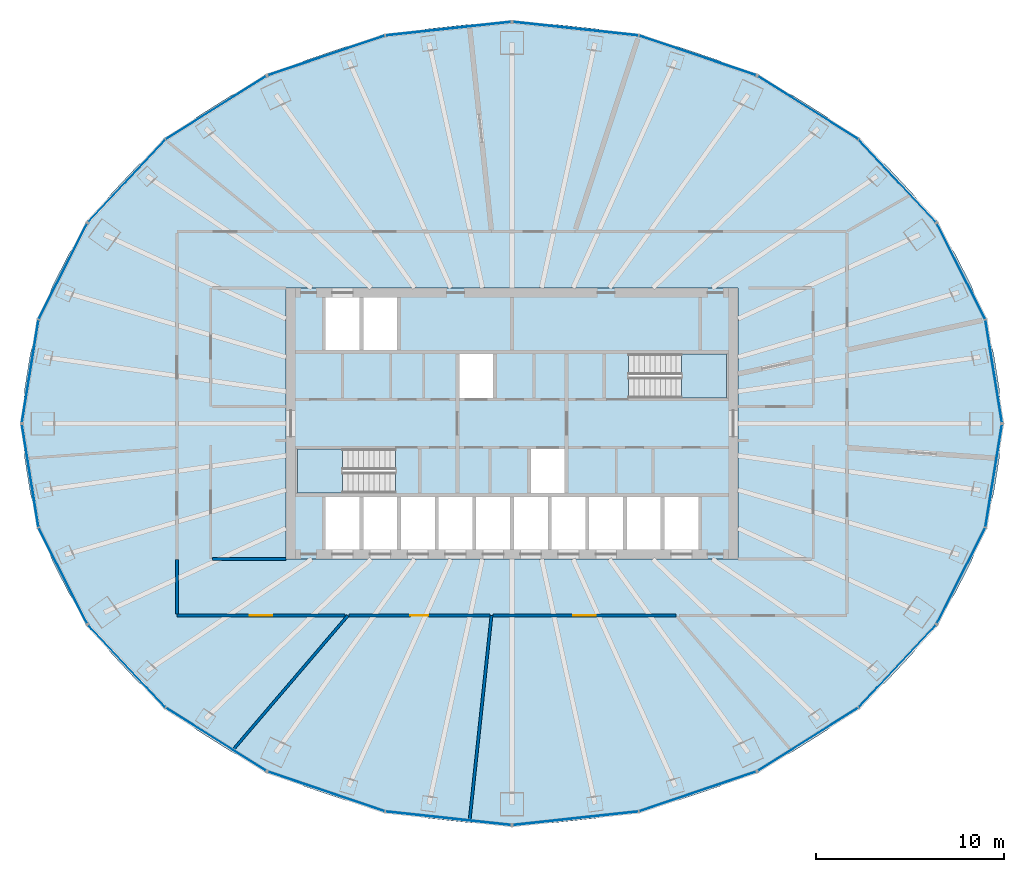
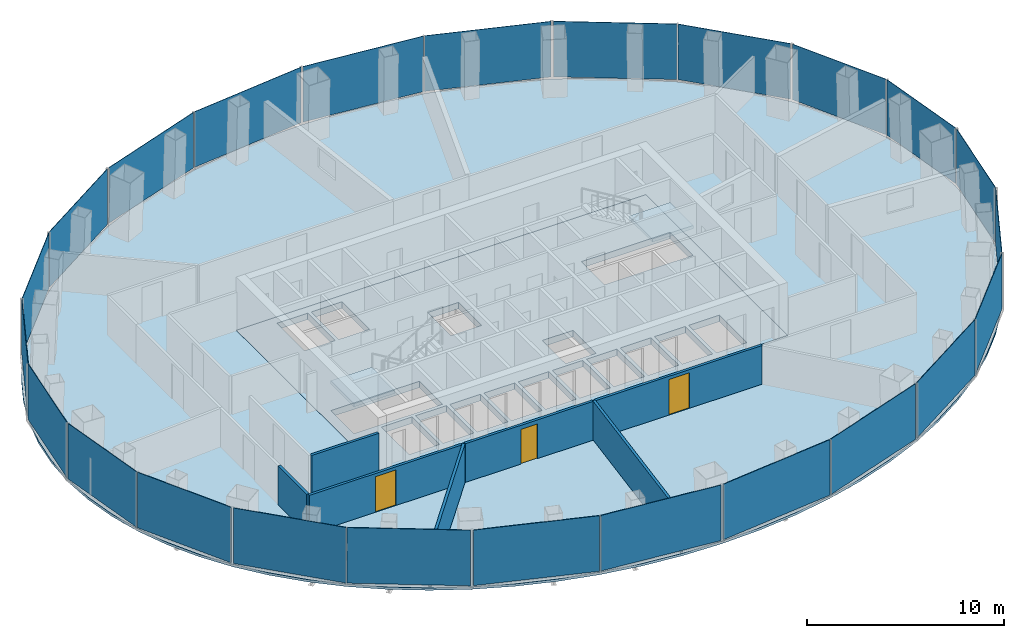
# One storey, part 7 of 12: 24 plates, 7 walls, 4 slabs, 3 doors, 3 openings, 14 elements without a shape of their own.
"""IFC4 building model written with IfcOpenShell, lengths in metres."""

from ifc_helpers import new_model, si_unit, direction, frame, frame_2d, origin, origin_2d, place, context, subcontext, project, spatial, polyline, rectangle, outline, extrude, material, layer, layer_set, type_object, element, fill, aggregate, save


model = new_model("IFC4")

# Units and contexts
model_context = context("Model", 3, precision=1e-05, world=origin(), true_north=direction((0.0, 1.0)))
body_context = subcontext(model_context, "Body", "Model", "MODEL_VIEW")
ifc_project = project(units=[si_unit("LENGTHUNIT", "METRE"), si_unit("AREAUNIT", "SQUARE_METRE"), si_unit("VOLUMEUNIT", "CUBIC_METRE"), si_unit("PLANEANGLEUNIT", "RADIAN"), si_unit("MASSUNIT", "GRAM", prefix="KILO")], contexts=[model_context])

# Site, building, storey
site_placement = place(None, origin())
site = spatial("IfcSite", under=ifc_project, at=site_placement, CompositionType="ELEMENT")
building_placement = place(site_placement, origin())
building = spatial("IfcBuilding", under=site, at=building_placement, Name="Siaravel Broadcast Tower", CompositionType="ELEMENT")
storey_placement = place(building_placement, frame((0.0, 0.0, 100.800048828125)))
storey = spatial("IfcBuildingStorey", under=building, at=storey_placement, Name="L23", CompositionType="ELEMENT", Elevation=100.800048828125)

# Curtain wall, plates
ifc_material_1 = material(Name="Aluminium 6063-T6", Category="aluminium")
ifc_layer_1 = layer(ifc_material_1, 0.199951171875)
ifc_layer_set_1 = layer_set([ifc_layer_1], Name="Aluminium 6063-T6")
curtain_wall_type = type_object("IfcCurtainWallType", Name="Unitised curtain wall, zone 2", PredefinedType="NOTDEFINED", material=ifc_layer_set_1)
curtain_wall_1_placement = place(storey_placement, origin())
curtain_wall_1 = element("IfcCurtainWall", 1, at=curtain_wall_1_placement, inside=storey, type_object=curtain_wall_type, Name="L23 Unitised curtain wall, zone 2 01", PredefinedType="NOTDEFINED")
ifc_material_2 = material(Name="Tinted laminated glass", Category="glass")
ifc_layer_2 = layer(ifc_material_2, 0.030029296875)
ifc_layer_set_2 = layer_set([ifc_layer_2], Name="Tinted laminated glass")
plate_type = type_object("IfcPlateType", Name="CW-Z2 glass panel", PredefinedType="CURTAIN_PANEL", material=ifc_layer_set_2)
plate_1_placement = place(storey_placement, frame((25.593017578125, 2.77880859375, 0.10986328125), z_axis=(0.0, 0.0, 1.0), x_axis=(-0.15868576, 0.987329139, 0.0)))
plate_1 = element("IfcPlate", 2, at=plate_1_placement, type_object=plate_type, Name="CW-Z2 glass panel", PredefinedType="CURTAIN_PANEL", context=body_context, shape_type="SweptSolid", body=[
    extrude(rectangle(XDim=5.498779296875, YDim=0.030029296875, at=origin_2d()), origin(), (0.0, 0.0, 1.0), 3.43994140625),
])
plate_2_placement = place(storey_placement, frame((23.857421875, 8.084716796875, 0.10986328125), z_axis=(0.0, 0.0, 1.0), x_axis=(-0.451261384, 0.892391822, 0.0)))
plate_2 = element("IfcPlate", 3, at=plate_2_placement, type_object=plate_type, Name="CW-Z2 glass panel", PredefinedType="CURTAIN_PANEL", context=body_context, shape_type="SweptSolid", body=[
    extrude(rectangle(XDim=5.6708984375, YDim=0.030029296875, at=origin_2d()), origin(), (0.0, 0.0, 1.0), 3.43994140625),
])
aggregate(curtain_wall_1, [plate_1, plate_2])

curtain_wall_2_placement = place(storey_placement, origin())
curtain_wall_2 = element("IfcCurtainWall", 4, at=curtain_wall_2_placement, inside=storey, type_object=curtain_wall_type, Name="L23 Unitised curtain wall, zone 2 02", PredefinedType="NOTDEFINED")
plate_3_placement = place(storey_placement, frame((20.467529296875, 12.894287109375, 0.10986328125), z_axis=(0.0, 0.0, 1.0), x_axis=(-0.683655524, 0.729804854, 0.0)))
plate_3 = element("IfcPlate", 5, at=plate_3_placement, type_object=plate_type, Name="CW-Z2 glass panel", PredefinedType="CURTAIN_PANEL", context=body_context, shape_type="SweptSolid", body=[
    extrude(rectangle(XDim=5.957275390625, YDim=0.030029296875, at=origin_2d()), origin(), (0.0, 0.0, 1.0), 3.43994140625),
])
plate_4_placement = place(storey_placement, frame((15.726318359375, 16.77783203125, 0.10986328125), z_axis=(0.0, 0.0, 1.0), x_axis=(-0.846650783, 0.5321489, 0.0)))
plate_4 = element("IfcPlate", 6, at=plate_4_placement, type_object=plate_type, Name="CW-Z2 glass panel", PredefinedType="CURTAIN_PANEL", context=body_context, shape_type="SweptSolid", body=[
    extrude(rectangle(XDim=6.272216796875, YDim=0.030029296875, at=origin_2d()), origin(), (0.0, 0.0, 1.0), 3.43994140625),
])
aggregate(curtain_wall_2, [plate_3, plate_4])

curtain_wall_3_placement = place(storey_placement, origin())
curtain_wall_3 = element("IfcCurtainWall", 7, at=curtain_wall_3_placement, inside=storey, type_object=curtain_wall_type, Name="L23 Unitised curtain wall, zone 2 03", PredefinedType="NOTDEFINED")
plate_5_placement = place(storey_placement, frame((9.861328125, 19.5517578125, 0.10986328125), z_axis=(0.0, 0.0, 1.0), x_axis=(-0.946977313, 0.321300433, 0.0)))
plate_5 = element("IfcPlate", 8, at=plate_5_placement, type_object=plate_type, Name="CW-Z2 glass panel", PredefinedType="CURTAIN_PANEL", context=body_context, shape_type="SweptSolid", body=[
    extrude(rectangle(XDim=6.532958984375, YDim=0.030029296875, at=origin_2d()), origin(), (0.0, 0.0, 1.0), 3.43994140625),
])
plate_6_placement = place(storey_placement, frame((3.384765625, 20.973388671875, 0.10986328125), z_axis=(0.0, 0.0, 1.0), x_axis=(-0.994235597, 0.107217428, 0.0)))
plate_6 = element("IfcPlate", 9, at=plate_6_placement, type_object=plate_type, Name="CW-Z2 glass panel", PredefinedType="CURTAIN_PANEL", context=body_context, shape_type="SweptSolid", body=[
    extrude(rectangle(XDim=6.678955078125, YDim=0.030029296875, at=origin_2d()), origin(), (0.0, 0.0, 1.0), 3.43994140625),
])
aggregate(curtain_wall_3, [plate_5, plate_6])

curtain_wall_4_placement = place(storey_placement, origin())
curtain_wall_4 = element("IfcCurtainWall", 10, at=curtain_wall_4_placement, inside=storey, type_object=curtain_wall_type, Name="L23 Unitised curtain wall, zone 2 04", PredefinedType="NOTDEFINED")
plate_7_placement = place(storey_placement, frame((-3.384765625, 20.973388671875, 0.10986328125), z_axis=(0.0, 0.0, 1.0), x_axis=(-0.994235597, -0.107217428, 0.0)))
plate_7 = element("IfcPlate", 11, at=plate_7_placement, type_object=plate_type, Name="CW-Z2 glass panel", PredefinedType="CURTAIN_PANEL", context=body_context, shape_type="SweptSolid", body=[
    extrude(rectangle(XDim=6.678955078125, YDim=0.030029296875, at=origin_2d()), origin(), (0.0, 0.0, 1.0), 3.43994140625),
])
plate_8_placement = place(storey_placement, frame((-9.861328125, 19.5517578125, 0.10986328125), z_axis=(0.0, 0.0, 1.0), x_axis=(-0.946977313, -0.321300433, 0.0)))
plate_8 = element("IfcPlate", 12, at=plate_8_placement, type_object=plate_type, Name="CW-Z2 glass panel", PredefinedType="CURTAIN_PANEL", context=body_context, shape_type="SweptSolid", body=[
    extrude(rectangle(XDim=6.532958984375, YDim=0.030029296875, at=origin_2d()), origin(), (0.0, 0.0, 1.0), 3.43994140625),
])
aggregate(curtain_wall_4, [plate_7, plate_8])

curtain_wall_5_placement = place(storey_placement, origin())
curtain_wall_5 = element("IfcCurtainWall", 13, at=curtain_wall_5_placement, inside=storey, type_object=curtain_wall_type, Name="L23 Unitised curtain wall, zone 2 05", PredefinedType="NOTDEFINED")
plate_9_placement = place(storey_placement, frame((-15.726318359375, 16.77783203125, 0.10986328125), z_axis=(0.0, 0.0, 1.0), x_axis=(-0.846650783, -0.5321489, 0.0)))
plate_9 = element("IfcPlate", 14, at=plate_9_placement, type_object=plate_type, Name="CW-Z2 glass panel", PredefinedType="CURTAIN_PANEL", context=body_context, shape_type="SweptSolid", body=[
    extrude(rectangle(XDim=6.272216796875, YDim=0.030029296875, at=origin_2d()), origin(), (0.0, 0.0, 1.0), 3.43994140625),
])
plate_10_placement = place(storey_placement, frame((-20.467529296875, 12.894287109375, 0.10986328125), z_axis=(0.0, 0.0, 1.0), x_axis=(-0.683655524, -0.729804854, 0.0)))
plate_10 = element("IfcPlate", 15, at=plate_10_placement, type_object=plate_type, Name="CW-Z2 glass panel", PredefinedType="CURTAIN_PANEL", context=body_context, shape_type="SweptSolid", body=[
    extrude(rectangle(XDim=5.957275390625, YDim=0.030029296875, at=origin_2d()), origin(), (0.0, 0.0, 1.0), 3.43994140625),
])
aggregate(curtain_wall_5, [plate_9, plate_10])

curtain_wall_6_placement = place(storey_placement, origin())
curtain_wall_6 = element("IfcCurtainWall", 16, at=curtain_wall_6_placement, inside=storey, type_object=curtain_wall_type, Name="L23 Unitised curtain wall, zone 2 06", PredefinedType="NOTDEFINED")
plate_11_placement = place(storey_placement, frame((-23.857421875, 8.084716796875, 0.10986328125), z_axis=(0.0, 0.0, 1.0), x_axis=(-0.451261384, -0.892391822, 0.0)))
plate_11 = element("IfcPlate", 17, at=plate_11_placement, type_object=plate_type, Name="CW-Z2 glass panel", PredefinedType="CURTAIN_PANEL", context=body_context, shape_type="SweptSolid", body=[
    extrude(rectangle(XDim=5.6708984375, YDim=0.030029296875, at=origin_2d()), origin(), (0.0, 0.0, 1.0), 3.43994140625),
])
plate_12_placement = place(storey_placement, frame((-25.593017578125, 2.77880859375, 0.10986328125), z_axis=(0.0, 0.0, 1.0), x_axis=(-0.15868576, -0.987329139, 0.0)))
plate_12 = element("IfcPlate", 18, at=plate_12_placement, type_object=plate_type, Name="CW-Z2 glass panel", PredefinedType="CURTAIN_PANEL", context=body_context, shape_type="SweptSolid", body=[
    extrude(rectangle(XDim=5.498779296875, YDim=0.030029296875, at=origin_2d()), origin(), (0.0, 0.0, 1.0), 3.43994140625),
])
aggregate(curtain_wall_6, [plate_11, plate_12])

curtain_wall_7_placement = place(storey_placement, origin())
curtain_wall_7 = element("IfcCurtainWall", 19, at=curtain_wall_7_placement, inside=storey, type_object=curtain_wall_type, Name="L23 Unitised curtain wall, zone 2 07", PredefinedType="NOTDEFINED")
plate_13_placement = place(storey_placement, frame((-25.593017578125, -2.77880859375, 0.10986328125), z_axis=(0.0, 0.0, 1.0), x_axis=(0.15868576, -0.987329139, 0.0)))
plate_13 = element("IfcPlate", 20, at=plate_13_placement, type_object=plate_type, Name="CW-Z2 glass panel", PredefinedType="CURTAIN_PANEL", context=body_context, shape_type="SweptSolid", body=[
    extrude(rectangle(XDim=5.498779296875, YDim=0.030029296875, at=origin_2d()), origin(), (0.0, 0.0, 1.0), 3.43994140625),
])
plate_14_placement = place(storey_placement, frame((-23.857421875, -8.084716796875, 0.10986328125), z_axis=(0.0, 0.0, 1.0), x_axis=(0.451261384, -0.892391822, 0.0)))
plate_14 = element("IfcPlate", 21, at=plate_14_placement, type_object=plate_type, Name="CW-Z2 glass panel", PredefinedType="CURTAIN_PANEL", context=body_context, shape_type="SweptSolid", body=[
    extrude(rectangle(XDim=5.6708984375, YDim=0.030029296875, at=origin_2d()), origin(), (0.0, 0.0, 1.0), 3.43994140625),
])
aggregate(curtain_wall_7, [plate_13, plate_14])

curtain_wall_8_placement = place(storey_placement, origin())
curtain_wall_8 = element("IfcCurtainWall", 22, at=curtain_wall_8_placement, inside=storey, type_object=curtain_wall_type, Name="L23 Unitised curtain wall, zone 2 08", PredefinedType="NOTDEFINED")
plate_15_placement = place(storey_placement, frame((-20.467529296875, -12.894287109375, 0.10986328125), z_axis=(0.0, 0.0, 1.0), x_axis=(0.683655524, -0.729804854, 0.0)))
plate_15 = element("IfcPlate", 23, at=plate_15_placement, type_object=plate_type, Name="CW-Z2 glass panel", PredefinedType="CURTAIN_PANEL", context=body_context, shape_type="SweptSolid", body=[
    extrude(rectangle(XDim=5.957275390625, YDim=0.030029296875, at=origin_2d()), origin(), (0.0, 0.0, 1.0), 3.43994140625),
])
plate_16_placement = place(storey_placement, frame((-15.726318359375, -16.77783203125, 0.10986328125), z_axis=(0.0, 0.0, 1.0), x_axis=(0.846650783, -0.5321489, 0.0)))
plate_16 = element("IfcPlate", 24, at=plate_16_placement, type_object=plate_type, Name="CW-Z2 glass panel", PredefinedType="CURTAIN_PANEL", context=body_context, shape_type="SweptSolid", body=[
    extrude(rectangle(XDim=6.272216796875, YDim=0.030029296875, at=origin_2d()), origin(), (0.0, 0.0, 1.0), 3.43994140625),
])
aggregate(curtain_wall_8, [plate_15, plate_16])

curtain_wall_9_placement = place(storey_placement, origin())
curtain_wall_9 = element("IfcCurtainWall", 25, at=curtain_wall_9_placement, inside=storey, type_object=curtain_wall_type, Name="L23 Unitised curtain wall, zone 2 09", PredefinedType="NOTDEFINED")
plate_17_placement = place(storey_placement, frame((-9.861328125, -19.5517578125, 0.10986328125), z_axis=(0.0, 0.0, 1.0), x_axis=(0.946977313, -0.321300433, 0.0)))
plate_17 = element("IfcPlate", 26, at=plate_17_placement, type_object=plate_type, Name="CW-Z2 glass panel", PredefinedType="CURTAIN_PANEL", context=body_context, shape_type="SweptSolid", body=[
    extrude(rectangle(XDim=6.532958984375, YDim=0.030029296875, at=origin_2d()), origin(), (0.0, 0.0, 1.0), 3.43994140625),
])
plate_18_placement = place(storey_placement, frame((-3.384765625, -20.973388671875, 0.10986328125), z_axis=(0.0, 0.0, 1.0), x_axis=(0.994235597, -0.107217428, 0.0)))
plate_18 = element("IfcPlate", 27, at=plate_18_placement, type_object=plate_type, Name="CW-Z2 glass panel", PredefinedType="CURTAIN_PANEL", context=body_context, shape_type="SweptSolid", body=[
    extrude(rectangle(XDim=6.678955078125, YDim=0.030029296875, at=origin_2d()), origin(), (0.0, 0.0, 1.0), 3.43994140625),
])
aggregate(curtain_wall_9, [plate_17, plate_18])

curtain_wall_10_placement = place(storey_placement, origin())
curtain_wall_10 = element("IfcCurtainWall", 28, at=curtain_wall_10_placement, inside=storey, type_object=curtain_wall_type, Name="L23 Unitised curtain wall, zone 2 10", PredefinedType="NOTDEFINED")
plate_19_placement = place(storey_placement, frame((3.384765625, -20.973388671875, 0.10986328125), z_axis=(0.0, 0.0, 1.0), x_axis=(0.994235597, 0.107217428, 0.0)))
plate_19 = element("IfcPlate", 29, at=plate_19_placement, type_object=plate_type, Name="CW-Z2 glass panel", PredefinedType="CURTAIN_PANEL", context=body_context, shape_type="SweptSolid", body=[
    extrude(rectangle(XDim=6.678955078125, YDim=0.030029296875, at=origin_2d()), origin(), (0.0, 0.0, 1.0), 3.43994140625),
])
plate_20_placement = place(storey_placement, frame((9.861328125, -19.5517578125, 0.10986328125), z_axis=(0.0, 0.0, 1.0), x_axis=(0.946977313, 0.321300433, 0.0)))
plate_20 = element("IfcPlate", 30, at=plate_20_placement, type_object=plate_type, Name="CW-Z2 glass panel", PredefinedType="CURTAIN_PANEL", context=body_context, shape_type="SweptSolid", body=[
    extrude(rectangle(XDim=6.532958984375, YDim=0.030029296875, at=origin_2d()), origin(), (0.0, 0.0, 1.0), 3.43994140625),
])
aggregate(curtain_wall_10, [plate_19, plate_20])

curtain_wall_11_placement = place(storey_placement, origin())
curtain_wall_11 = element("IfcCurtainWall", 31, at=curtain_wall_11_placement, inside=storey, type_object=curtain_wall_type, Name="L23 Unitised curtain wall, zone 2 11", PredefinedType="NOTDEFINED")
plate_21_placement = place(storey_placement, frame((15.726318359375, -16.77783203125, 0.10986328125), z_axis=(0.0, 0.0, 1.0), x_axis=(0.846650783, 0.5321489, 0.0)))
plate_21 = element("IfcPlate", 32, at=plate_21_placement, type_object=plate_type, Name="CW-Z2 glass panel", PredefinedType="CURTAIN_PANEL", context=body_context, shape_type="SweptSolid", body=[
    extrude(rectangle(XDim=6.272216796875, YDim=0.030029296875, at=origin_2d()), origin(), (0.0, 0.0, 1.0), 3.43994140625),
])
plate_22_placement = place(storey_placement, frame((20.467529296875, -12.894287109375, 0.10986328125), z_axis=(0.0, 0.0, 1.0), x_axis=(0.683655524, 0.729804854, 0.0)))
plate_22 = element("IfcPlate", 33, at=plate_22_placement, type_object=plate_type, Name="CW-Z2 glass panel", PredefinedType="CURTAIN_PANEL", context=body_context, shape_type="SweptSolid", body=[
    extrude(rectangle(XDim=5.957275390625, YDim=0.030029296875, at=origin_2d()), origin(), (0.0, 0.0, 1.0), 3.43994140625),
])
aggregate(curtain_wall_11, [plate_21, plate_22])

curtain_wall_12_placement = place(storey_placement, origin())
curtain_wall_12 = element("IfcCurtainWall", 34, at=curtain_wall_12_placement, inside=storey, type_object=curtain_wall_type, Name="L23 Unitised curtain wall, zone 2 12", PredefinedType="NOTDEFINED")
plate_23_placement = place(storey_placement, frame((23.857421875, -8.084716796875, 0.10986328125), z_axis=(0.0, 0.0, 1.0), x_axis=(0.451261384, 0.892391822, 0.0)))
plate_23 = element("IfcPlate", 35, at=plate_23_placement, type_object=plate_type, Name="CW-Z2 glass panel", PredefinedType="CURTAIN_PANEL", context=body_context, shape_type="SweptSolid", body=[
    extrude(rectangle(XDim=5.6708984375, YDim=0.030029296875, at=origin_2d()), origin(), (0.0, 0.0, 1.0), 3.43994140625),
])
plate_24_placement = place(storey_placement, frame((25.593017578125, -2.77880859375, 0.10986328125), z_axis=(0.0, 0.0, 1.0), x_axis=(0.15868576, 0.987329139, 0.0)))
plate_24 = element("IfcPlate", 36, at=plate_24_placement, type_object=plate_type, Name="CW-Z2 glass panel", PredefinedType="CURTAIN_PANEL", context=body_context, shape_type="SweptSolid", body=[
    extrude(rectangle(XDim=5.498779296875, YDim=0.030029296875, at=origin_2d()), origin(), (0.0, 0.0, 1.0), 3.43994140625),
])
aggregate(curtain_wall_12, [plate_23, plate_24])

# Slabs
ifc_material_3 = material(Name="Concrete C40/50", Category="concrete")
ifc_layer_3 = layer(ifc_material_3, 0.39990234375)
ifc_layer_set_3 = layer_set([ifc_layer_3], Name="Concrete C40/50")
slab_type_1 = type_object("IfcSlabType", Name="Core floor slab 400", PredefinedType="FLOOR", material=ifc_layer_set_3)
slab_1_placement = place(storey_placement, frame((0.0, 0.0, -0.400146484375)))
element("IfcSlab", 37, at=slab_1_placement, inside=storey, type_object=slab_type_1, Name="L23 core floor", PredefinedType="FLOOR", context=body_context, shape_type="SweptSolid", body=[
    extrude(outline(polyline([(-12.0, -7.199951171875), (-12.0, 7.199951171875), (12.0, 7.199951171875), (12.0, -7.199951171875), (-12.0, -7.199951171875)]), holes=[polyline([(11.3994140625, 1.3505859375), (11.3994140625, 3.699462890625), (6.200439453125, 3.699462890625), (6.200439453125, 1.3505859375), (11.3994140625, 1.3505859375)]), polyline([(9.89990234375, -3.89990234375), (8.10009765625, -3.89990234375), (8.10009765625, -6.699951171875), (9.89990234375, -6.699951171875), (9.89990234375, -3.89990234375)]), polyline([(7.89990234375, -3.89990234375), (6.10009765625, -3.89990234375), (6.10009765625, -6.699951171875), (7.89990234375, -6.699951171875), (7.89990234375, -3.89990234375)]), polyline([(5.89990234375, -3.89990234375), (4.10009765625, -3.89990234375), (4.10009765625, -6.699951171875), (5.89990234375, -6.699951171875), (5.89990234375, -3.89990234375)]), polyline([(3.89990234375, -3.89990234375), (2.10009765625, -3.89990234375), (2.10009765625, -6.699951171875), (3.89990234375, -6.699951171875), (3.89990234375, -3.89990234375)]), polyline([(2.800048828125, -1.35009765625), (1.0, -1.35009765625), (1.0, -3.699951171875), (2.800048828125, -3.699951171875), (2.800048828125, -1.35009765625)]), polyline([(1.89990234375, -3.89990234375), (0.10009765625, -3.89990234375), (0.10009765625, -6.699951171875), (1.89990234375, -6.699951171875), (1.89990234375, -3.89990234375)]), polyline([(-0.10009765625, -3.89990234375), (-1.89990234375, -3.89990234375), (-1.89990234375, -6.699951171875), (-0.10009765625, -6.699951171875), (-0.10009765625, -3.89990234375)]), polyline([(-1.0, 3.699951171875), (-2.800048828125, 3.699951171875), (-2.800048828125, 1.35009765625), (-1.0, 1.35009765625), (-1.0, 3.699951171875)]), polyline([(-2.10009765625, -3.89990234375), (-3.89990234375, -3.89990234375), (-3.89990234375, -6.699951171875), (-2.10009765625, -6.699951171875), (-2.10009765625, -3.89990234375)]), polyline([(-4.10009765625, -3.89990234375), (-5.89990234375, -3.89990234375), (-5.89990234375, -6.699951171875), (-4.10009765625, -6.699951171875), (-4.10009765625, -3.89990234375)]), polyline([(-6.10009765625, -3.89990234375), (-7.89990234375, -3.89990234375), (-7.89990234375, -6.699951171875), (-6.10009765625, -6.699951171875), (-6.10009765625, -3.89990234375)]), polyline([(-6.10009765625, 6.699951171875), (-7.89990234375, 6.699951171875), (-7.89990234375, 3.89990234375), (-6.10009765625, 3.89990234375), (-6.10009765625, 6.699951171875)]), polyline([(-11.3994140625, -1.3505859375), (-11.3994140625, -3.699462890625), (-6.200439453125, -3.699462890625), (-6.200439453125, -1.3505859375), (-11.3994140625, -1.3505859375)]), polyline([(-8.10009765625, -3.89990234375), (-9.89990234375, -3.89990234375), (-9.89990234375, -6.699951171875), (-8.10009765625, -6.699951171875), (-8.10009765625, -3.89990234375)]), polyline([(-8.10009765625, 6.699951171875), (-9.89990234375, 6.699951171875), (-9.89990234375, 3.89990234375), (-8.10009765625, 3.89990234375), (-8.10009765625, 6.699951171875)])]), origin(), (0.0, 0.0, 1.0), 0.400146484375),
])
ifc_layer_4 = layer(ifc_material_3, 0.14990234375)
ifc_layer_set_4 = layer_set([ifc_layer_4], Name="Concrete C40/50")
slab_type_2 = type_object("IfcSlabType", Name="SLB-FLOOR-150", PredefinedType="FLOOR", material=ifc_layer_set_4)
slab_2_placement = place(storey_placement, frame((0.0, 0.0, -0.150146484375)))
element("IfcSlab", 38, at=slab_2_placement, inside=storey, type_object=slab_type_2, Name="Floor slab", PredefinedType="FLOOR", context=body_context, shape_type="SweptSolid", body=[
    extrude(outline(polyline([(25.989501953125, 0.0), (25.890625, 1.85546875), (25.5947265625, 3.69677734375), (25.10400390625, 5.509765625), (24.422119140625, 7.281005859375), (23.554443359375, 8.996826171875), (22.507568359375, 10.64404296875), (21.289306640625, 12.21044921875), (19.9091796875, 13.683837890625), (18.37744140625, 15.052978515625), (16.705810546875, 16.307861328125), (14.906982421875, 17.4384765625), (12.994873046875, 18.436279296875), (10.983642578125, 19.293701171875), (8.888916015625, 20.00439453125), (6.7265625, 20.56298828125), (4.512939453125, 20.96484375), (2.26513671875, 21.207275390625), (0.0, 21.288330078125), (-2.26513671875, 21.207275390625), (-4.512939453125, 20.96484375), (-6.7265625, 20.56298828125), (-8.888916015625, 20.00439453125), (-10.983642578125, 19.293701171875), (-12.99462890625, 18.436279296875), (-14.906982421875, 17.4384765625), (-16.705810546875, 16.307861328125), (-18.37744140625, 15.052978515625), (-19.9091796875, 13.683837890625), (-21.289306640625, 12.21044921875), (-22.507568359375, 10.64404296875), (-23.554443359375, 8.996826171875), (-24.422119140625, 7.281005859375), (-25.10400390625, 5.509765625), (-25.5947265625, 3.69677734375), (-25.890625, 1.85546875), (-25.989501953125, 0.0), (-25.890625, -1.85546875), (-25.5947265625, -3.69677734375), (-25.10400390625, -5.509765625), (-24.422119140625, -7.281005859375), (-23.554443359375, -8.996826171875), (-22.507568359375, -10.644287109375), (-21.289306640625, -12.21044921875), (-19.9091796875, -13.683837890625), (-18.37744140625, -15.052978515625), (-16.705810546875, -16.307861328125), (-14.906982421875, -17.4384765625), (-12.994873046875, -18.436279296875), (-10.983642578125, -19.293701171875), (-8.888916015625, -20.00439453125), (-6.7265625, -20.56298828125), (-4.512939453125, -20.96484375), (-2.26513671875, -21.207275390625), (0.0, -21.288330078125), (2.26513671875, -21.207275390625), (4.512939453125, -20.96484375), (6.7265625, -20.56298828125), (8.888916015625, -20.00439453125), (10.983642578125, -19.293701171875), (12.994873046875, -18.436279296875), (14.906982421875, -17.4384765625), (16.705810546875, -16.307861328125), (18.37744140625, -15.052978515625), (19.9091796875, -13.683837890625), (21.289306640625, -12.21044921875), (22.507568359375, -10.644287109375), (23.554443359375, -8.996826171875), (24.422119140625, -7.281005859375), (25.10400390625, -5.509765625), (25.5947265625, -3.69677734375), (25.890625, -1.85546875), (25.989501953125, 0.0)]), holes=[polyline([(-12.0, 7.199951171875), (12.0, 7.199951171875), (12.0, -7.199951171875), (-12.0, -7.199951171875), (-12.0, 7.199951171875)])]), origin(), (0.0, 0.0, 1.0), 0.150146484375),
])

# Stair, slab
stair_type = type_object("IfcStairType", Name="Core exit stair", PredefinedType="HALF_TURN_STAIR", material=ifc_material_3)
stair_1_placement = place(storey_placement, origin())
stair_1 = element("IfcStair", 39, at=stair_1_placement, inside=storey, type_object=stair_type, Name="L23 Exit stair ST-1", PredefinedType="HALF_TURN_STAIR")
ifc_layer_5 = layer(ifc_material_3, 0.199951171875)
ifc_layer_set_5 = layer_set([ifc_layer_5], Name="Concrete C40/50")
slab_type_3 = type_object("IfcSlabType", Name="Stair landing", PredefinedType="LANDING", material=ifc_layer_set_5)
slab_3_placement = place(storey_placement, frame((0.0, 0.0, 1.64990234375)))
slab_3 = element("IfcSlab", 40, at=slab_3_placement, type_object=slab_type_3, Name="ST-1 landing 1", PredefinedType="LANDING", context=body_context, shape_type="SweptSolid", body=[
    extrude(outline(polyline([(-9.0, -1.35009765625), (-11.39990234375, -1.35009765625), (-11.39990234375, -3.699951171875), (-9.0, -3.699951171875), (-9.0, -1.35009765625)])), origin(), (0.0, 0.0, 1.0), 0.199951171875),
])
aggregate(stair_1, [slab_3])

stair_2_placement = place(storey_placement, origin())
stair_2 = element("IfcStair", 41, at=stair_2_placement, inside=storey, type_object=stair_type, Name="L23 Exit stair ST-2", PredefinedType="HALF_TURN_STAIR")
slab_4_placement = place(storey_placement, frame((0.0, 0.0, 1.64990234375)))
slab_4 = element("IfcSlab", 42, at=slab_4_placement, type_object=slab_type_3, Name="ST-2 landing 1", PredefinedType="LANDING", context=body_context, shape_type="SweptSolid", body=[
    extrude(outline(polyline([(9.0, 1.35009765625), (11.39990234375, 1.35009765625), (11.39990234375, 3.699951171875), (9.0, 3.699951171875), (9.0, 1.35009765625)])), origin(), (0.0, 0.0, 1.0), 0.199951171875),
])
aggregate(stair_2, [slab_4])

# Wall, opening, door
ifc_material_4 = material(Name="Gypsum board partition", Category="gypsum")
ifc_layer_6 = layer(ifc_material_4, 0.14990234375)
ifc_layer_set_6 = layer_set([ifc_layer_6], Name="Gypsum board partition")
wall_type_1 = type_object("IfcWallType", Name="Corridor wall 150", PredefinedType="PARTITIONING", material=ifc_layer_set_6)
wall_1_placement = place(storey_placement, frame((-1.012939453125, -10.199951171875, 0.0), z_axis=(0.0, 0.0, 1.0), x_axis=(1.0, 0.0, 0.0)))
wall_1 = element("IfcWall", 43, at=wall_1_placement, inside=storey, type_object=wall_type_1, Name="L23 partition 6", PredefinedType="PARTITIONING", context=body_context, shape_type="SweptSolid", body=[
    extrude(rectangle(XDim=9.732177734375, YDim=0.14990234375, at=frame_2d((4.8662109375, 0.0))), origin(), (0.0, 0.0, 1.0), 2.39990234375),
])
opening_1_placement = place(wall_1_placement, frame((4.26611328125, 0.0, 0.0)))
opening_1 = element("IfcOpeningElement", 44, at=opening_1_placement, cuts=wall_1, Name="Opening L23-009", PredefinedType="OPENING", context=body_context, shape_type="SweptSolid", body=[
    extrude(rectangle(XDim=1.199951171875, YDim=2.199951171875, at=frame_2d((0.60009765625, 1.10009765625))), frame((0.0, 0.0849609375, 0.0), z_axis=(0.0, -1.0, 0.0), x_axis=(1.0, 0.0, 0.0)), (0.0, 0.0, 1.0), 0.169921875),
])
ifc_material_5 = material(Name="Timber veneer", Category="wood")
door_type_1 = type_object("IfcDoorType", Name="Office double door 1200", OperationType="DOUBLE_DOOR_SINGLE_SWING", PredefinedType="DOOR", material=ifc_material_5)
door_1_placement = place(opening_1_placement, origin())
door_1 = element("IfcDoor", 45, at=door_1_placement, inside=storey, type_object=door_type_1, Name="L23 door to Open plan production office", OperationType="DOUBLE_DOOR_SINGLE_SWING", OverallHeight=2.199951171875, OverallWidth=1.199951171875, PredefinedType="DOOR", context=body_context, shape_type="SweptSolid", body=[
    extrude(rectangle(XDim=1.199951171875, YDim=2.199951171875, at=frame_2d((0.60009765625, 1.10009765625))), frame((0.0, 0.02490234375, 0.0), z_axis=(0.0, -1.0, 0.0), x_axis=(1.0, 0.0, 0.0)), (0.0, 0.0, 1.0), 0.050048828125),
])
fill(opening_1, door_1)

wall_2_placement = place(storey_placement, frame((-17.800048828125, -10.199951171875, 0.0), z_axis=(0.0, 0.0, 1.0), x_axis=(1.0, 0.0, 0.0)))
wall_2 = element("IfcWall", 46, at=wall_2_placement, inside=storey, type_object=wall_type_1, Name="L23 partition 9", PredefinedType="PARTITIONING", context=body_context, shape_type="SweptSolid", body=[
    extrude(rectangle(XDim=8.916015625, YDim=0.14990234375, at=frame_2d((4.4580078125, 0.0))), origin(), (0.0, 0.0, 1.0), 2.39990234375),
])
opening_2_placement = place(wall_2_placement, frame((3.85791015625, 0.0, 0.0)))
opening_2 = element("IfcOpeningElement", 47, at=opening_2_placement, cuts=wall_2, Name="Opening L23-005", PredefinedType="OPENING", context=body_context, shape_type="SweptSolid", body=[
    extrude(rectangle(XDim=1.199951171875, YDim=2.199951171875, at=frame_2d((0.60009765625, 1.10009765625))), frame((0.0, 0.0849609375, 0.0), z_axis=(0.0, -1.0, 0.0), x_axis=(1.0, 0.0, 0.0)), (0.0, 0.0, 1.0), 0.169921875),
])
door_2_placement = place(opening_2_placement, origin())
door_2 = element("IfcDoor", 48, at=door_2_placement, inside=storey, type_object=door_type_1, Name="L23 door to Open plan production office", OperationType="DOUBLE_DOOR_SINGLE_SWING", OverallHeight=2.199951171875, OverallWidth=1.199951171875, PredefinedType="DOOR", context=body_context, shape_type="SweptSolid", body=[
    extrude(rectangle(XDim=1.199951171875, YDim=2.199951171875, at=frame_2d((0.60009765625, 1.10009765625))), frame((0.0, 0.02490234375, 0.0), z_axis=(0.0, -1.0, 0.0), x_axis=(1.0, 0.0, 0.0)), (0.0, 0.0, 1.0), 0.050048828125),
])
fill(opening_2, door_2)

wall_3_placement = place(storey_placement, frame((-8.660400390625, -10.199951171875, 0.0), z_axis=(0.0, 0.0, 1.0), x_axis=(1.0, 0.0, 0.0)))
wall_3 = element("IfcWall", 49, at=wall_3_placement, inside=storey, type_object=wall_type_1, Name="L23 partition 14", PredefinedType="PARTITIONING", context=body_context, shape_type="SweptSolid", body=[
    extrude(rectangle(XDim=7.485595703125, YDim=0.14990234375, at=frame_2d((3.74267578125, 0.0))), origin(), (0.0, 0.0, 1.0), 2.39990234375),
])
opening_3_placement = place(wall_3_placement, frame((3.267578125, 0.0, 0.0)))
opening_3 = element("IfcOpeningElement", 50, at=opening_3_placement, cuts=wall_3, Name="Opening L23-008", PredefinedType="OPENING", context=body_context, shape_type="SweptSolid", body=[
    extrude(rectangle(XDim=0.949951171875, YDim=2.14990234375, at=frame_2d((0.47509765625, 1.074951171875))), frame((0.0, 0.0849609375, 0.0), z_axis=(0.0, -1.0, 0.0), x_axis=(1.0, 0.0, 0.0)), (0.0, 0.0, 1.0), 0.169921875),
])
door_type_2 = type_object("IfcDoorType", Name="Office door 950", OperationType="SINGLE_SWING_LEFT", PredefinedType="DOOR", material=ifc_material_5)
door_3_placement = place(opening_3_placement, origin())
door_3 = element("IfcDoor", 51, at=door_3_placement, inside=storey, type_object=door_type_2, Name="L23 door to Design studio", OperationType="SINGLE_SWING_RIGHT", OverallHeight=2.14990234375, OverallWidth=0.949951171875, PredefinedType="DOOR", context=body_context, shape_type="SweptSolid", body=[
    extrude(rectangle(XDim=0.949951171875, YDim=2.14990234375, at=frame_2d((0.47509765625, 1.074951171875))), frame((0.0, 0.02490234375, 0.0), z_axis=(0.0, -1.0, 0.0), x_axis=(1.0, 0.0, 0.0)), (0.0, 0.0, 1.0), 0.050048828125),
])
fill(opening_3, door_3)

# Walls
wall_4_placement = place(storey_placement, frame((-12.0, -7.199951171875, 0.0), z_axis=(0.0, 0.0, 1.0), x_axis=(-1.0, 0.0, 0.0)))
element("IfcWall", 52, at=wall_4_placement, inside=storey, type_object=wall_type_1, Name="L23 partition 27", PredefinedType="PARTITIONING", context=body_context, shape_type="SweptSolid", body=[
    extrude(rectangle(XDim=3.923095703125, YDim=0.14990234375, at=frame_2d((1.96142578125, 0.0))), origin(), (0.0, 0.0, 1.0), 2.39990234375),
])
wall_5_placement = place(storey_placement, frame((-17.800048828125, -7.212890625, 0.0), z_axis=(0.0, 0.0, 1.0), x_axis=(0.0, -1.0, 0.0)))
element("IfcWall", 53, at=wall_5_placement, inside=storey, type_object=wall_type_1, Name="L23 partition 36", PredefinedType="PARTITIONING", context=body_context, shape_type="SweptSolid", body=[
    extrude(rectangle(XDim=2.91015625, YDim=0.14990234375, at=frame_2d((1.455078125, 0.0))), origin(), (0.0, 0.0, 1.0), 2.39990234375),
])
ifc_layer_7 = layer(ifc_material_4, 0.14990234375)
ifc_layer_set_7 = layer_set([ifc_layer_7], Name="Gypsum board partition")
wall_type_2 = type_object("IfcWallType", Name="Room partition 150", PredefinedType="PARTITIONING", material=ifc_layer_set_7)
wall_6_placement = place(storey_placement, frame((-2.252197265625, -21.087890625, 0.0), z_axis=(0.0, 0.0, 1.0), x_axis=(0.106196959, 0.994345114, 0.0)))
element("IfcWall", 54, at=wall_6_placement, inside=storey, type_object=wall_type_2, Name="L23 partition 3", PredefinedType="PARTITIONING", context=body_context, shape_type="SweptSolid", body=[
    extrude(rectangle(XDim=10.949951171875, YDim=0.14990234375, at=frame_2d((5.47509765625, 0.0))), origin(), (0.0, 0.0, 1.0), 2.39990234375),
])
wall_7_placement = place(storey_placement, frame((-14.826904296875, -17.344970703125, 0.0), z_axis=(0.0, 0.0, 1.0), x_axis=(0.649770499, 0.760130448, 0.0)))
element("IfcWall", 55, at=wall_7_placement, inside=storey, type_object=wall_type_2, Name="L23 partition 8", PredefinedType="PARTITIONING", context=body_context, shape_type="SweptSolid", body=[
    extrude(rectangle(XDim=9.399658203125, YDim=0.14990234375, at=frame_2d((4.69970703125, 0.0))), origin(), (0.0, 0.0, 1.0), 2.39990234375),
])

save(model, "model.ifc")
